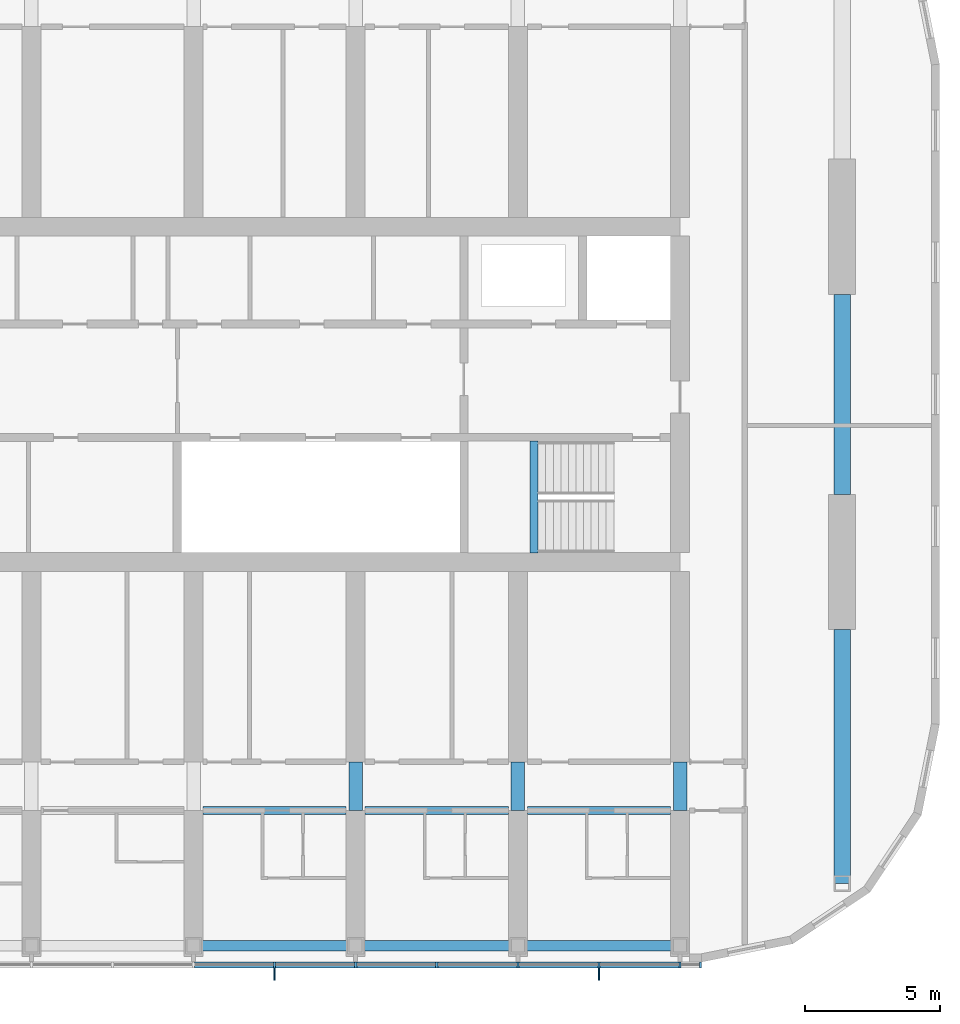
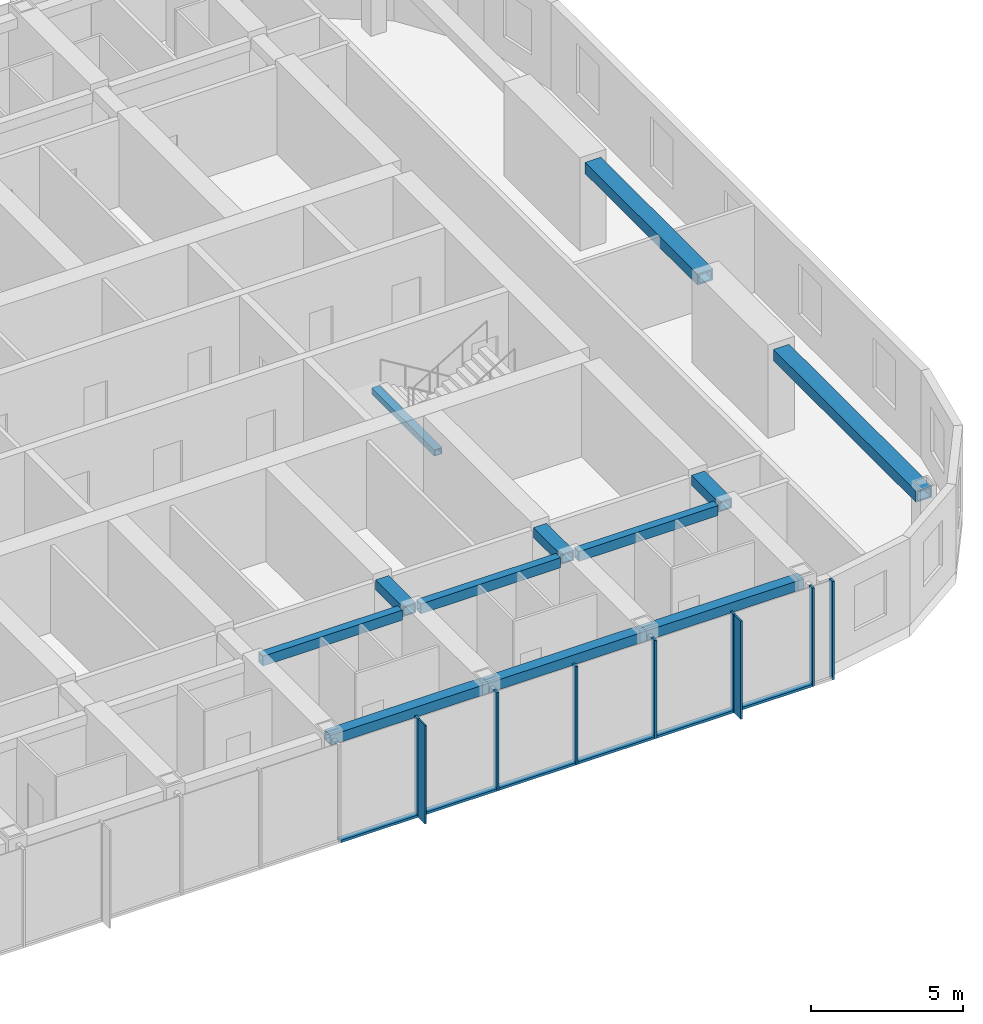
# One storey, part 5 of 27: 15 members, 12 beams, 1 element without a shape of its own.
"""IFC4 building model written with IfcOpenShell, lengths in metres."""

from ifc_helpers import new_model, si_unit, direction, frame, origin, origin_2d, place, context, subcontext, project, spatial, rectangle, hollow_rectangle, extrude, material, material_profile, profile_set, type_object, element, aggregate, save


model = new_model("IFC4")

# Units and contexts
model_context = context("Model", 3, precision=1e-05, world=origin(), true_north=direction((0.0, 1.0)))
body_context = subcontext(model_context, "Body", "Model", "MODEL_VIEW")
ifc_project = project(units=[si_unit("LENGTHUNIT", "METRE"), si_unit("AREAUNIT", "SQUARE_METRE"), si_unit("VOLUMEUNIT", "CUBIC_METRE"), si_unit("PLANEANGLEUNIT", "RADIAN"), si_unit("MASSUNIT", "GRAM", prefix="KILO")], contexts=[model_context])

# Site, building, storey
site_placement = place(None, origin())
site = spatial("IfcSite", under=ifc_project, at=site_placement, CompositionType="ELEMENT")
building_placement = place(site_placement, origin())
building = spatial("IfcBuilding", under=site, at=building_placement, Name="Orbita Commons", CompositionType="ELEMENT")
storey_placement = place(building_placement, frame((0.0, 0.0, 246.550048828125)))
storey = spatial("IfcBuildingStorey", under=building, at=storey_placement, Name="L61", CompositionType="ELEMENT", Elevation=246.550048828125)

# Curtain wall, members
ifc_material_1 = material(Name="Anodised aluminium frame, pale silver", Category="aluminium")
curtain_wall_type = type_object("IfcCurtainWallType", Name="Unitised curtain wall CW-U, full-height vision", PredefinedType="NOTDEFINED", material=ifc_material_1)
curtain_wall_placement = place(storey_placement, origin())
curtain_wall = element("IfcCurtainWall", 1, at=curtain_wall_placement, inside=storey, type_object=curtain_wall_type, Name="Curtain wall south L61", PredefinedType="NOTDEFINED")
ifc_material_2 = material(Name="Anodised aluminium, pale silver", Category="aluminium")
ifc_material_profile_1 = material_profile(ifc_material_2, rectangle(XDim=0.080078125, YDim=0.219970703125, at=origin_2d()), Name="AL 80x220")
ifc_profile_set_1 = profile_set([ifc_material_profile_1], Name="Anodised aluminium, pale silver")
member_type_1 = type_object("IfcMemberType", Name="Curtain wall mullion 80x220", PredefinedType="MULLION", material=ifc_profile_set_1)
member_1_placement = place(storey_placement, frame((51.0, 10.889892578125, -0.449951171875), z_axis=(0.0, 0.0, 1.0), x_axis=(1.0, 0.0, 0.0)))
member_1 = element("IfcMember", 2, at=member_1_placement, type_object=member_type_1, Name="Mullion 13 CW-L61-S", PredefinedType="MULLION", context=body_context, shape_type="SweptSolid", body=[
    extrude(rectangle(XDim=0.080078125, YDim=0.219970703125, at=origin_2d()), origin(), (0.0, 0.0, 1.0), 3.949951171875),
])
member_2_placement = place(storey_placement, frame((54.0, 10.889892578125, -0.449951171875), z_axis=(0.0, 0.0, 1.0), x_axis=(1.0, 0.0, 0.0)))
member_2 = element("IfcMember", 3, at=member_2_placement, type_object=member_type_1, Name="Mullion 14 CW-L61-S", PredefinedType="MULLION", context=body_context, shape_type="SweptSolid", body=[
    extrude(rectangle(XDim=0.080078125, YDim=0.219970703125, at=origin_2d()), origin(), (0.0, 0.0, 1.0), 3.949951171875),
])
member_3_placement = place(storey_placement, frame((57.0, 10.889892578125, -0.449951171875), z_axis=(0.0, 0.0, 1.0), x_axis=(1.0, 0.0, 0.0)))
member_3 = element("IfcMember", 4, at=member_3_placement, type_object=member_type_1, Name="Mullion 15 CW-L61-S", PredefinedType="MULLION", context=body_context, shape_type="SweptSolid", body=[
    extrude(rectangle(XDim=0.080078125, YDim=0.219970703125, at=origin_2d()), origin(), (0.0, 0.0, 1.0), 3.949951171875),
])
member_4_placement = place(storey_placement, frame((60.0, 10.889892578125, -0.449951171875), z_axis=(0.0, 0.0, 1.0), x_axis=(1.0, 0.0, 0.0)))
member_4 = element("IfcMember", 5, at=member_4_placement, type_object=member_type_1, Name="Mullion 16 CW-L61-S", PredefinedType="MULLION", context=body_context, shape_type="SweptSolid", body=[
    extrude(rectangle(XDim=0.080078125, YDim=0.219970703125, at=origin_2d()), origin(), (0.0, 0.0, 1.0), 3.949951171875),
])
member_5_placement = place(storey_placement, frame((63.0, 10.889892578125, -0.449951171875), z_axis=(0.0, 0.0, 1.0), x_axis=(1.0, 0.0, 0.0)))
member_5 = element("IfcMember", 6, at=member_5_placement, type_object=member_type_1, Name="Mullion 17 CW-L61-S", PredefinedType="MULLION", context=body_context, shape_type="SweptSolid", body=[
    extrude(rectangle(XDim=0.080078125, YDim=0.219970703125, at=origin_2d()), origin(), (0.0, 0.0, 1.0), 3.949951171875),
])
member_6_placement = place(storey_placement, frame((66.0, 10.889892578125, -0.449951171875), z_axis=(0.0, 0.0, 1.0), x_axis=(1.0, 0.0, 0.0)))
member_6 = element("IfcMember", 7, at=member_6_placement, type_object=member_type_1, Name="Mullion 18 CW-L61-S", PredefinedType="MULLION", context=body_context, shape_type="SweptSolid", body=[
    extrude(rectangle(XDim=0.080078125, YDim=0.219970703125, at=origin_2d()), origin(), (0.0, 0.0, 1.0), 3.949951171875),
])
member_7_placement = place(storey_placement, frame((66.760009765625, 10.889892578125, -0.449951171875), z_axis=(0.0, 0.0, 1.0), x_axis=(1.0, 0.0, 0.0)))
member_7 = element("IfcMember", 8, at=member_7_placement, type_object=member_type_1, Name="Mullion 19 CW-L61-S", PredefinedType="MULLION", context=body_context, shape_type="SweptSolid", body=[
    extrude(rectangle(XDim=0.080078125, YDim=0.219970703125, at=origin_2d()), origin(), (0.0, 0.0, 1.0), 3.949951171875),
])
ifc_material_3 = material(Name="Anodised aluminium, pale silver", Category="aluminium")
ifc_material_profile_2 = material_profile(ifc_material_3, rectangle(XDim=0.219970703125, YDim=0.10009765625, at=origin_2d()), Name="AL 220x100")
ifc_profile_set_2 = profile_set([ifc_material_profile_2], Name="Anodised aluminium, pale silver")
member_type_2 = type_object("IfcMemberType", Name="Curtain wall stack transom 220x100", PredefinedType="USERDEFINED", material=ifc_profile_set_2)
member_8_placement = place(storey_placement, frame((48.0400390625, 10.889892578125, -0.400146484375), z_axis=(1.0, 0.0, 0.0), x_axis=(0.0, 1.0, 0.0)))
member_8 = element("IfcMember", 9, at=member_8_placement, type_object=member_type_2, Name="Transom 12.1 CW-L61-S", ObjectType="TRANSOM", PredefinedType="USERDEFINED", context=body_context, shape_type="SweptSolid", body=[
    extrude(rectangle(XDim=0.219970703125, YDim=0.10009765625, at=origin_2d()), origin(), (0.0, 0.0, 1.0), 2.919921875),
])
member_9_placement = place(storey_placement, frame((51.0400390625, 10.889892578125, -0.400146484375), z_axis=(1.0, 0.0, 0.0), x_axis=(0.0, 1.0, 0.0)))
member_9 = element("IfcMember", 10, at=member_9_placement, type_object=member_type_2, Name="Transom 13.1 CW-L61-S", ObjectType="TRANSOM", PredefinedType="USERDEFINED", context=body_context, shape_type="SweptSolid", body=[
    extrude(rectangle(XDim=0.219970703125, YDim=0.10009765625, at=origin_2d()), origin(), (0.0, 0.0, 1.0), 2.919921875),
])
member_10_placement = place(storey_placement, frame((54.0400390625, 10.889892578125, -0.400146484375), z_axis=(1.0, 0.0, 0.0), x_axis=(0.0, 1.0, 0.0)))
member_10 = element("IfcMember", 11, at=member_10_placement, type_object=member_type_2, Name="Transom 14.1 CW-L61-S", ObjectType="TRANSOM", PredefinedType="USERDEFINED", context=body_context, shape_type="SweptSolid", body=[
    extrude(rectangle(XDim=0.219970703125, YDim=0.10009765625, at=origin_2d()), origin(), (0.0, 0.0, 1.0), 2.919921875),
])
member_11_placement = place(storey_placement, frame((57.0400390625, 10.889892578125, -0.400146484375), z_axis=(1.0, 0.0, 0.0), x_axis=(0.0, 1.0, 0.0)))
member_11 = element("IfcMember", 12, at=member_11_placement, type_object=member_type_2, Name="Transom 15.1 CW-L61-S", ObjectType="TRANSOM", PredefinedType="USERDEFINED", context=body_context, shape_type="SweptSolid", body=[
    extrude(rectangle(XDim=0.219970703125, YDim=0.10009765625, at=origin_2d()), origin(), (0.0, 0.0, 1.0), 2.919921875),
])
member_12_placement = place(storey_placement, frame((60.0400390625, 10.889892578125, -0.400146484375), z_axis=(1.0, 0.0, 0.0), x_axis=(0.0, 1.0, 0.0)))
member_12 = element("IfcMember", 13, at=member_12_placement, type_object=member_type_2, Name="Transom 16.1 CW-L61-S", ObjectType="TRANSOM", PredefinedType="USERDEFINED", context=body_context, shape_type="SweptSolid", body=[
    extrude(rectangle(XDim=0.219970703125, YDim=0.10009765625, at=origin_2d()), origin(), (0.0, 0.0, 1.0), 2.919921875),
])
member_13_placement = place(storey_placement, frame((63.0400390625, 10.889892578125, -0.400146484375), z_axis=(1.0, 0.0, 0.0), x_axis=(0.0, 1.0, 0.0)))
member_13 = element("IfcMember", 14, at=member_13_placement, type_object=member_type_2, Name="Transom 17.1 CW-L61-S", ObjectType="TRANSOM", PredefinedType="USERDEFINED", context=body_context, shape_type="SweptSolid", body=[
    extrude(rectangle(XDim=0.219970703125, YDim=0.10009765625, at=origin_2d()), origin(), (0.0, 0.0, 1.0), 2.919921875),
])

# Beams
ifc_material_4 = material(Name="Steel ASTM A572 Gr 50 welded plate", Category="steel")
ifc_material_profile_3 = material_profile(ifc_material_4, hollow_rectangle(XDim=0.300048828125, YDim=0.25, WallThickness=0.02490234375, at=origin_2d()), Name="BOX 250x300x25")
ifc_profile_set_3 = profile_set([ifc_material_profile_3], Name="Steel ASTM A572 Gr 50 welded plate")
beam_type_1 = type_object("IfcBeamType", Name="Stair landing beam steel BOX 250x300x25", PredefinedType="BEAM", material=ifc_profile_set_3)
beam_1_placement = place(storey_placement, frame((60.60009765625, 26.135009765625, 1.550048828125), z_axis=(0.0, 1.0, 0.0), x_axis=(-1.0, 0.0, 0.0)))
element("IfcBeam", 15, at=beam_1_placement, inside=storey, type_object=beam_type_1, Name="Stair S2 landing beam L61 1", PredefinedType="BEAM", context=body_context, shape_type="SweptSolid", body=[
    extrude(hollow_rectangle(XDim=0.300048828125, YDim=0.25, WallThickness=0.02490234375, at=origin_2d()), origin(), (0.0, 0.0, 1.0), 4.1298828125),
])
ifc_material_5 = material(Name="Steel ASTM A572 Gr 50 welded plate", Category="steel")
ifc_material_profile_4 = material_profile(ifc_material_5, hollow_rectangle(XDim=0.300048828125, YDim=0.39990234375, WallThickness=0.0400390625, at=origin_2d()), Name="BOX 400x300x40")
ifc_profile_set_4 = profile_set([ifc_material_profile_4], Name="Steel ASTM A572 Gr 50 welded plate")
beam_type_2 = type_object("IfcBeamType", Name="Steel corridor link BOX 400x300x40", PredefinedType="BEAM", material=ifc_profile_set_4)
for number, where, z_axis, x_axis, name in (
    (16, (48.35009765625, 16.60009765625, 3.300048828125), (1.0, 0.0, 0.0), (0.0, 1.0, 0.0), "Corridor beam SA 9-10 L61"),
    (17, (54.35009765625, 16.60009765625, 3.300048828125), (1.0, 0.0, 0.0), (0.0, 1.0, 0.0), "Corridor beam SA 10-11 L61"),
    (18, (60.35009765625, 16.60009765625, 3.300048828125), (1.0, 0.0, 0.0), (0.0, 1.0, 0.0), "Corridor beam SA 11-12 L61"),
):
    element("IfcBeam", number, at=place(storey_placement, frame(where, z_axis=z_axis, x_axis=x_axis)), inside=storey, type_object=beam_type_2, Name=name, PredefinedType="BEAM", context=body_context, shape_type="SweptSolid", body=[
        extrude(hollow_rectangle(XDim=0.300048828125, YDim=0.39990234375, WallThickness=0.0400390625, at=origin_2d()), origin(), (0.0, 0.0, 1.0), 5.2998046875),
    ])
ifc_material_6 = material(Name="Steel ASTM A572 Gr 50 welded plate", Category="steel")
ifc_material_profile_5 = material_profile(ifc_material_6, hollow_rectangle(XDim=0.5, YDim=0.39990234375, WallThickness=0.050048828125, at=origin_2d()), Name="BOX 400x500x50")
ifc_profile_set_5 = profile_set([ifc_material_profile_5], Name="Steel ASTM A572 Gr 50 welded plate")
beam_type_3 = type_object("IfcBeamType", Name="Steel coupling link BOX 400x500x50", PredefinedType="LINTEL", material=ifc_profile_set_5)
for number, where, z_axis, x_axis, name in (
    (19, (54.0, 16.60009765625, 3.300048828125), (0.0, 1.0, 0.0), (-1.0, 0.0, 0.0), "Coupling beam 10 south L61"),
    (20, (60.0, 16.60009765625, 3.300048828125), (0.0, 1.0, 0.0), (-1.0, 0.0, 0.0), "Coupling beam 11 south L61"),
    (21, (66.0, 16.60009765625, 3.300048828125), (0.0, 1.0, 0.0), (-1.0, 0.0, 0.0), "Coupling beam 12 south L61"),
):
    element("IfcBeam", number, at=place(storey_placement, frame(where, z_axis=z_axis, x_axis=x_axis)), inside=storey, type_object=beam_type_3, Name=name, PredefinedType="LINTEL", context=body_context, shape_type="SweptSolid", body=[
        extrude(hollow_rectangle(XDim=0.5, YDim=0.39990234375, WallThickness=0.050048828125, at=origin_2d()), origin(), (0.0, 0.0, 1.0), 1.7998046875),
    ])
ifc_material_7 = material(Name="Steel ASTM A572 Gr 50 welded plate", Category="steel")
ifc_material_profile_6 = material_profile(ifc_material_7, hollow_rectangle(XDim=0.60009765625, YDim=0.449951171875, WallThickness=0.06005859375, at=origin_2d()), Name="BOX 450x600x60")
ifc_profile_set_6 = profile_set([ifc_material_profile_6], Name="Steel ASTM A572 Gr 50 welded plate")
beam_type_4 = type_object("IfcBeamType", Name="Steel end frame link BOX 450x600x60", PredefinedType="BEAM", material=ifc_profile_set_6)
beam_2_placement = place(storey_placement, frame((72.0, 13.89990234375, 3.27490234375), z_axis=(0.0, 1.0, 0.0), x_axis=(-1.0, 0.0, 0.0)))
element("IfcBeam", 22, at=beam_2_placement, inside=storey, type_object=beam_type_4, Name="End frame beam 13 B-C L61", PredefinedType="BEAM", context=body_context, shape_type="SweptSolid", body=[
    extrude(hollow_rectangle(XDim=0.60009765625, YDim=0.449951171875, WallThickness=0.06005859375, at=origin_2d()), origin(), (0.0, 0.0, 1.0), 9.400146484375),
])
beam_3_placement = place(storey_placement, frame((72.0, 28.300048828125, 3.27490234375), z_axis=(0.0, 1.0, 0.0), x_axis=(-1.0, 0.0, 0.0)))
element("IfcBeam", 23, at=beam_3_placement, inside=storey, type_object=beam_type_4, Name="End frame beam 13 C-D L61", PredefinedType="BEAM", context=body_context, shape_type="SweptSolid", body=[
    extrude(hollow_rectangle(XDim=0.60009765625, YDim=0.449951171875, WallThickness=0.06005859375, at=origin_2d()), origin(), (0.0, 0.0, 1.0), 7.39990234375),
])
ifc_material_8 = material(Name="Steel ASTM A572 Gr 50 welded plate", Category="steel")
ifc_material_profile_7 = material_profile(ifc_material_8, hollow_rectangle(XDim=0.39990234375, YDim=0.39990234375, WallThickness=0.0400390625, at=origin_2d()), Name="BOX 400x400x40")
ifc_profile_set_7 = profile_set([ifc_material_profile_7], Name="Steel ASTM A572 Gr 50 welded plate")
beam_type_5 = type_object("IfcBeamType", Name="Steel spandrel BOX 400x400x40", PredefinedType="SPANDREL", material=ifc_profile_set_7)
for number, where, z_axis, x_axis, name in (
    (24, (48.0, 11.60009765625, 3.300048828125), (1.0, 0.0, 0.0), (0.0, 1.0, 0.0), "Spandrel beam B 9-10 L61"),
    (25, (54.0, 11.60009765625, 3.300048828125), (1.0, 0.0, 0.0), (0.0, 1.0, 0.0), "Spandrel beam B 10-11 L61"),
    (26, (60.0, 11.60009765625, 3.300048828125), (1.0, 0.0, 0.0), (0.0, 1.0, 0.0), "Spandrel beam B 11-12 L61"),
):
    element("IfcBeam", number, at=place(storey_placement, frame(where, z_axis=z_axis, x_axis=x_axis)), inside=storey, type_object=beam_type_5, Name=name, PredefinedType="SPANDREL", context=body_context, shape_type="SweptSolid", body=[
        extrude(hollow_rectangle(XDim=0.39990234375, YDim=0.39990234375, WallThickness=0.0400390625, at=origin_2d()), origin(), (0.0, 0.0, 1.0), 6.0),
    ])

# Member
ifc_material_9 = material(Name="Anodised aluminium, pale silver", Category="aluminium")
ifc_material_profile_8 = material_profile(ifc_material_9, rectangle(XDim=0.06005859375, YDim=0.449951171875, at=origin_2d()), Name="FIN 60x450")
ifc_profile_set_8 = profile_set([ifc_material_profile_8], Name="Anodised aluminium, pale silver")
member_type_3 = type_object("IfcMemberType", Name="Vertical fin 60x450 pale aluminium", PredefinedType="USERDEFINED", material=ifc_profile_set_8)
member_14_placement = place(storey_placement, frame((51.0, 10.554931640625, -0.449951171875), z_axis=(0.0, 0.0, 1.0), x_axis=(1.0, 0.0, 0.0)))
member_14 = element("IfcMember", 27, at=member_14_placement, type_object=member_type_3, Name="Fin 13 CW-L61-S", ObjectType="FIN", PredefinedType="USERDEFINED", context=body_context, shape_type="SweptSolid", body=[
    extrude(rectangle(XDim=0.06005859375, YDim=0.449951171875, at=origin_2d()), origin(), (0.0, 0.0, 1.0), 3.949951171875),
])

member_15_placement = place(storey_placement, frame((63.0, 10.554931640625, -0.449951171875), z_axis=(0.0, 0.0, 1.0), x_axis=(1.0, 0.0, 0.0)))
member_15 = element("IfcMember", 28, at=member_15_placement, type_object=member_type_3, Name="Fin 17 CW-L61-S", ObjectType="FIN", PredefinedType="USERDEFINED", context=body_context, shape_type="SweptSolid", body=[
    extrude(rectangle(XDim=0.06005859375, YDim=0.449951171875, at=origin_2d()), origin(), (0.0, 0.0, 1.0), 3.949951171875),
])

aggregate(curtain_wall, [member_1, member_14, member_2, member_3, member_4, member_5, member_15, member_6, member_7, member_8, member_9, member_10, member_11, member_12, member_13])

save(model, "model.ifc")
